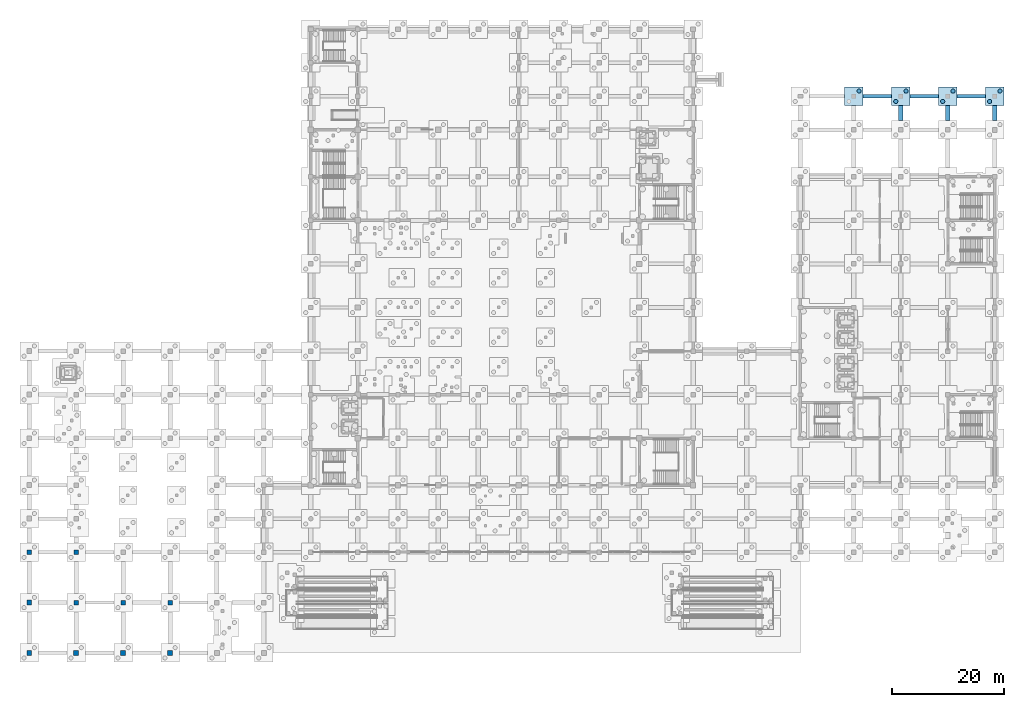
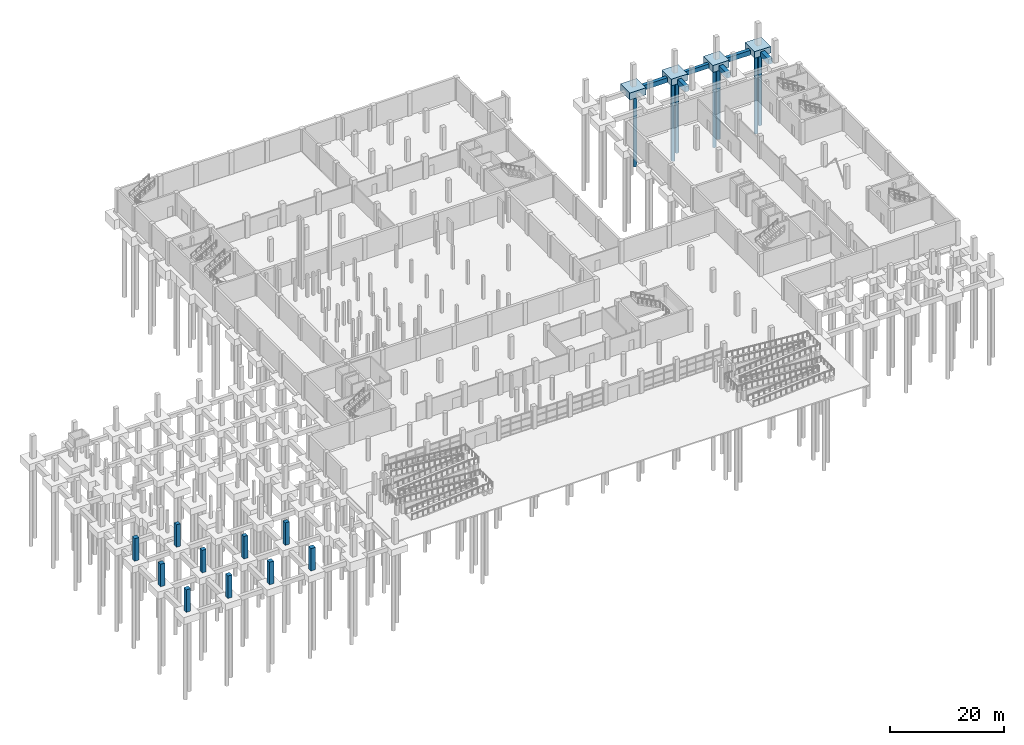
# One storey, part 15 of 42: 10 columns, 10 footings, 7 piles.
"""IFC4 building model written with IfcOpenShell, lengths in metres."""

from ifc_helpers import new_model, si_unit, direction, frame, origin, origin_2d, place, context, subcontext, project, spatial, polyline, rectangle, circle, outline, extrude, material, layer, layer_set, material_profile, profile_set, type_object, element, save


model = new_model("IFC4")

# Units and contexts
model_context = context("Model", 3, precision=1e-05, world=origin(), true_north=direction((0.0, 1.0)))
body_context = subcontext(model_context, "Body", "Model", "MODEL_VIEW")
ifc_project = project(units=[si_unit("LENGTHUNIT", "METRE"), si_unit("AREAUNIT", "SQUARE_METRE"), si_unit("VOLUMEUNIT", "CUBIC_METRE"), si_unit("PLANEANGLEUNIT", "RADIAN"), si_unit("MASSUNIT", "GRAM", prefix="KILO")], contexts=[model_context])

# Site, building, storey
site_placement = place(None, origin())
site = spatial("IfcSite", under=ifc_project, at=site_placement, CompositionType="ELEMENT")
building_placement = place(site_placement, origin())
building = spatial("IfcBuilding", under=site, at=building_placement, Name="Pellamere Symphony Hall", CompositionType="ELEMENT")
storey_placement = place(building_placement, frame((0.0, 0.0, -4.800048828125)))
storey = spatial("IfcBuildingStorey", under=building, at=storey_placement, Name="B1", CompositionType="ELEMENT", Elevation=-4.800048828125)

# Piles
ifc_material_1 = material(Name="Concrete 35 MPa", Category="concrete")
ifc_material_profile_1 = material_profile(ifc_material_1, circle(Radius=0.375, at=origin_2d()), Name="PILE D750")
ifc_profile_set_1 = profile_set([ifc_material_profile_1], Name="Concrete 35 MPa")
pile_type = type_object("IfcPileType", Name="Bored Pile 750mm Concrete 35 MPa", PredefinedType="BORED", material=ifc_profile_set_1)
pile_placement = place(storey_placement, frame((148.52001953125, 100.52001953125, -1.39990234375), z_axis=(0.0, 0.0, -1.0), x_axis=(1.0, 0.0, 0.0)))
element("IfcPile", 1, at=pile_placement, inside=storey, type_object=pile_type, Name="Bored Pile BP-750-P539", PredefinedType="BORED", context=body_context, shape_type="SweptSolid", body=[
    extrude(circle(Radius=0.375, at=origin_2d()), origin(), (0.0, 0.0, 1.0), 16.60009765625),
])
for number, where, z_axis, x_axis, name in (
    (2, (155.080078125, 98.679931640625, -1.300048828125), (0.0, 0.0, -1.0), (1.0, 0.0, 0.0), "Bored Pile BP-750-P540"),
    (3, (156.919921875, 100.52001953125, -1.300048828125), (0.0, 0.0, -1.0), (1.0, 0.0, 0.0), "Bored Pile BP-750-P541"),
):
    element("IfcPile", number, at=place(storey_placement, frame(where, z_axis=z_axis, x_axis=x_axis)), inside=storey, type_object=pile_type, Name=name, PredefinedType="BORED", context=body_context, shape_type="SweptSolid", body=[
        extrude(circle(Radius=0.375, at=origin_2d()), origin(), (0.0, 0.0, 1.0), 16.699951171875),
    ])
for number, where, z_axis, x_axis, name in (
    (4, (163.47998046875, 98.679931640625, -1.39990234375), (0.0, 0.0, -1.0), (1.0, 0.0, 0.0), "Bored Pile BP-750-P542"),
    (5, (165.320068359375, 100.52001953125, -1.39990234375), (0.0, 0.0, -1.0), (1.0, 0.0, 0.0), "Bored Pile BP-750-P543"),
):
    element("IfcPile", number, at=place(storey_placement, frame(where, z_axis=z_axis, x_axis=x_axis)), inside=storey, type_object=pile_type, Name=name, PredefinedType="BORED", context=body_context, shape_type="SweptSolid", body=[
        extrude(circle(Radius=0.375, at=origin_2d()), origin(), (0.0, 0.0, 1.0), 16.60009765625),
    ])
for number, where, z_axis, x_axis, name in (
    (6, (171.8798828125, 98.679931640625, -1.300048828125), (0.0, 0.0, -1.0), (1.0, 0.0, 0.0), "Bored Pile BP-750-P544"),
    (7, (173.719970703125, 100.52001953125, -1.300048828125), (0.0, 0.0, -1.0), (1.0, 0.0, 0.0), "Bored Pile BP-750-P545"),
):
    element("IfcPile", number, at=place(storey_placement, frame(where, z_axis=z_axis, x_axis=x_axis)), inside=storey, type_object=pile_type, Name=name, PredefinedType="BORED", context=body_context, shape_type="SweptSolid", body=[
        extrude(circle(Radius=0.375, at=origin_2d()), origin(), (0.0, 0.0, 1.0), 16.699951171875),
    ])

# Footings
ifc_material_2 = material(Name="Concrete 40 MPa", Category="concrete")
ifc_material_profile_2 = material_profile(ifc_material_2, rectangle(XDim=0.60009765625, YDim=0.89990234375, at=origin_2d()), Name="RC 600x900")
ifc_profile_set_2 = profile_set([ifc_material_profile_2], Name="Concrete 40 MPa")
footing_type_1 = type_object("IfcFootingType", Name="Foundation FB-01 600x900", PredefinedType="FOOTING_BEAM", material=ifc_profile_set_2)
footing_1_placement = place(storey_placement, frame((157.652099609375, 99.60009765625, -0.89990234375), z_axis=(1.0, 0.0, 0.0), x_axis=(0.0, 1.0, 0.0)))
element("IfcFooting", 8, at=footing_1_placement, inside=storey, type_object=footing_type_1, Name="Foundation Beam FB-01-216", PredefinedType="FOOTING_BEAM", context=body_context, shape_type="SweptSolid", body=[
    extrude(rectangle(XDim=0.60009765625, YDim=0.89990234375, at=origin_2d()), origin(), (0.0, 0.0, 1.0), 5.095947265625),
])
ifc_material_profile_3 = material_profile(ifc_material_2, rectangle(XDim=0.699951171875, YDim=1.0, at=origin_2d()), Name="RC 700x1000")
ifc_profile_set_3 = profile_set([ifc_material_profile_3], Name="Concrete 40 MPa")
footing_type_2 = type_object("IfcFootingType", Name="Foundation FB-02 700x1000", PredefinedType="FOOTING_BEAM", material=ifc_profile_set_3)
for number, where, z_axis, x_axis, name in (
    (9, (149.251953125, 99.60009765625, -0.949951171875), (1.0, 0.0, 0.0), (0.0, 1.0, 0.0), "Foundation Beam FB-02-215"),
    (10, (166.052001953125, 99.60009765625, -0.949951171875), (1.0, 0.0, 0.0), (0.0, 1.0, 0.0), "Foundation Beam FB-02-217"),
):
    element("IfcFooting", number, at=place(storey_placement, frame(where, z_axis=z_axis, x_axis=x_axis)), inside=storey, type_object=footing_type_2, Name=name, PredefinedType="FOOTING_BEAM", context=body_context, shape_type="SweptSolid", body=[
        extrude(rectangle(XDim=0.699951171875, YDim=1.0, at=origin_2d()), origin(), (0.0, 0.0, 1.0), 5.095947265625),
    ])
ifc_material_profile_4 = material_profile(ifc_material_2, rectangle(XDim=0.800048828125, YDim=1.10009765625, at=origin_2d()), Name="RC 800x1100")
ifc_profile_set_4 = profile_set([ifc_material_profile_4], Name="Concrete 40 MPa")
footing_type_3 = type_object("IfcFootingType", Name="Foundation FB-03 800x1100", PredefinedType="FOOTING_BEAM", material=ifc_profile_set_4)
for number, where, z_axis, x_axis, name in (
    (11, (156.0, 95.251953125, -1.0), (0.0, 1.0, 0.0), (-1.0, 0.0, 0.0), "Foundation Beam FB-03-378"),
    (12, (164.39990234375, 95.251953125, -1.0), (0.0, 1.0, 0.0), (-1.0, 0.0, 0.0), "Foundation Beam FB-03-386"),
    (13, (172.800048828125, 95.251953125, -1.0), (0.0, 1.0, 0.0), (-1.0, 0.0, 0.0), "Foundation Beam FB-03-394"),
):
    element("IfcFooting", number, at=place(storey_placement, frame(where, z_axis=z_axis, x_axis=x_axis)), inside=storey, type_object=footing_type_3, Name=name, PredefinedType="FOOTING_BEAM", context=body_context, shape_type="SweptSolid", body=[
        extrude(rectangle(XDim=0.800048828125, YDim=1.10009765625, at=origin_2d()), origin(), (0.0, 0.0, 1.0), 2.696044921875),
    ])
ifc_layer_1 = layer(ifc_material_2, 1.39990234375, Name="Concrete 40 MPa")
ifc_layer_set_1 = layer_set([ifc_layer_1], Name="Concrete 40 MPa")
footing_type_4 = type_object("IfcFootingType", Name="Pile Cap PC-02 3300x3300x1400", PredefinedType="PILE_CAP", material=ifc_layer_set_1)
footing_2_placement = place(storey_placement, frame((0.0, 0.0, -1.39990234375)))
element("IfcFooting", 14, at=footing_2_placement, inside=storey, type_object=footing_type_4, Name="Pile Cap PC-02-198", PredefinedType="PILE_CAP", context=body_context, shape_type="SweptSolid", body=[
    extrude(outline(polyline([(154.35009765625, 97.949951171875), (154.35009765625, 101.25), (157.64990234375, 101.25), (157.64990234375, 97.949951171875), (154.35009765625, 97.949951171875)])), origin(), (0.0, 0.0, 1.0), 1.39990234375),
])
footing_3_placement = place(storey_placement, frame((0.0, 0.0, -1.39990234375)))
element("IfcFooting", 15, at=footing_3_placement, inside=storey, type_object=footing_type_4, Name="Pile Cap PC-02-200", PredefinedType="PILE_CAP", context=body_context, shape_type="SweptSolid", body=[
    extrude(outline(polyline([(171.14990234375, 97.949951171875), (171.14990234375, 101.25), (174.449951171875, 101.25), (174.449951171875, 97.949951171875), (171.14990234375, 97.949951171875)])), origin(), (0.0, 0.0, 1.0), 1.39990234375),
])
ifc_layer_2 = layer(ifc_material_2, 1.5, Name="Concrete 40 MPa")
ifc_layer_set_2 = layer_set([ifc_layer_2], Name="Concrete 40 MPa")
footing_type_5 = type_object("IfcFootingType", Name="Pile Cap PC-03 3300x3300x1500", PredefinedType="PILE_CAP", material=ifc_layer_set_2)
footing_4_placement = place(storey_placement, frame((0.0, 0.0, -1.5)))
element("IfcFooting", 16, at=footing_4_placement, inside=storey, type_object=footing_type_5, Name="Pile Cap PC-03-197", PredefinedType="PILE_CAP", context=body_context, shape_type="SweptSolid", body=[
    extrude(outline(polyline([(149.25, 97.949951171875), (145.949951171875, 97.949951171875), (145.949951171875, 101.25), (149.25, 101.25), (149.25, 97.949951171875)])), origin(), (0.0, 0.0, 1.0), 1.5),
])
footing_5_placement = place(storey_placement, frame((0.0, 0.0, -1.5)))
element("IfcFooting", 17, at=footing_5_placement, inside=storey, type_object=footing_type_5, Name="Pile Cap PC-03-199", PredefinedType="PILE_CAP", context=body_context, shape_type="SweptSolid", body=[
    extrude(outline(polyline([(162.75, 97.949951171875), (162.75, 101.25), (166.050048828125, 101.25), (166.050048828125, 97.949951171875), (162.75, 97.949951171875)])), origin(), (0.0, 0.0, 1.0), 1.5),
])

# Columns
ifc_material_profile_5 = material_profile(ifc_material_2, rectangle(XDim=0.800048828125, YDim=0.800048828125, at=origin_2d()), Name="RC 800x800")
ifc_profile_set_5 = profile_set([ifc_material_profile_5], Name="Concrete 40 MPa")
column_type_1 = type_object("IfcColumnType", Name="RC Column CC-04 800x800", PredefinedType="COLUMN", material=ifc_profile_set_5)
for number, where, z_axis, x_axis, name in (
    (18, (8.39990234375, 9.0, 0.0), (0.0, 0.0, 1.0), (1.0, 0.0, 0.0), "Column C-2B (B1)"),
    (19, (8.39990234375, 18.0, 0.0), (0.0, 0.0, 1.0), (1.0, 0.0, 0.0), "Column C-2C (B1)"),
    (20, (16.800048828125, 9.0, 0.0), (0.0, 0.0, 1.0), (1.0, 0.0, 0.0), "Column C-3B (B1)"),
    (21, (25.199951171875, 9.0, 0.0), (0.0, 0.0, 1.0), (1.0, 0.0, 0.0), "Column C-4B (B1)"),
):
    element("IfcColumn", number, at=place(storey_placement, frame(where, z_axis=z_axis, x_axis=x_axis)), inside=storey, type_object=column_type_1, Name=name, PredefinedType="COLUMN", context=body_context, shape_type="SweptSolid", body=[
        extrude(rectangle(XDim=0.800048828125, YDim=0.800048828125, at=origin_2d()), origin(), (0.0, 0.0, 1.0), 4.800048828125),
    ])
ifc_material_3 = material(Name="Concrete 50 MPa", Category="concrete")
ifc_material_profile_6 = material_profile(ifc_material_3, rectangle(XDim=0.8798828125, YDim=0.8798828125, at=origin_2d()), Name="RC 880x880")
ifc_profile_set_6 = profile_set([ifc_material_profile_6], Name="Concrete 50 MPa")
column_type_2 = type_object("IfcColumnType", Name="RC Column CCP-01 880x880", PredefinedType="COLUMN", material=ifc_profile_set_6)
for number, where, z_axis, x_axis, name in (
    (22, (0.0, 0.0, 0.0), (0.0, 0.0, 1.0), (1.0, 0.0, 0.0), "Column C-1A (B1)"),
    (23, (0.0, 9.0, 0.0), (0.0, 0.0, 1.0), (1.0, 0.0, 0.0), "Column C-1B (B1)"),
    (24, (0.0, 18.0, 0.0), (0.0, 0.0, 1.0), (1.0, 0.0, 0.0), "Column C-1C (B1)"),
    (25, (8.39990234375, 0.0, 0.0), (0.0, 0.0, 1.0), (1.0, 0.0, 0.0), "Column C-2A (B1)"),
    (26, (16.800048828125, 0.0, 0.0), (0.0, 0.0, 1.0), (1.0, 0.0, 0.0), "Column C-3A (B1)"),
    (27, (25.199951171875, 0.0, 0.0), (0.0, 0.0, 1.0), (1.0, 0.0, 0.0), "Column C-4A (B1)"),
):
    element("IfcColumn", number, at=place(storey_placement, frame(where, z_axis=z_axis, x_axis=x_axis)), inside=storey, type_object=column_type_2, Name=name, PredefinedType="COLUMN", context=body_context, shape_type="SweptSolid", body=[
        extrude(rectangle(XDim=0.8798828125, YDim=0.8798828125, at=origin_2d()), origin(), (0.0, 0.0, 1.0), 4.800048828125),
    ])

save(model, "model.ifc")
